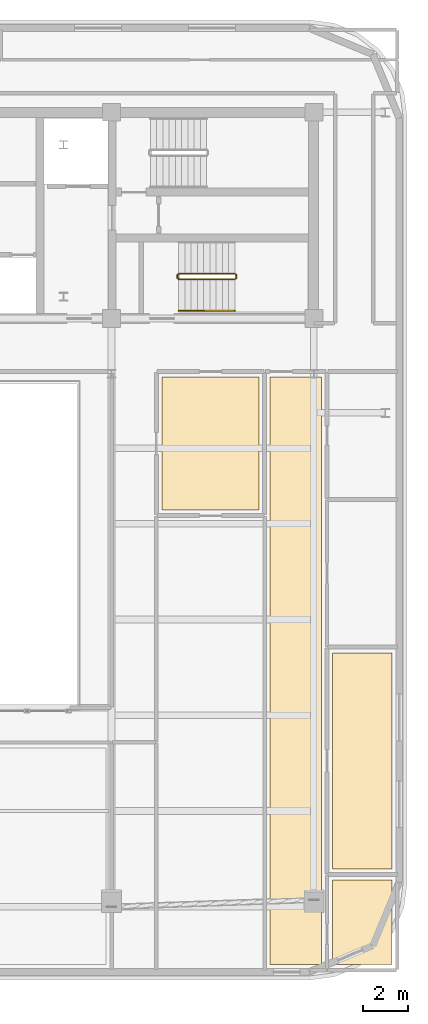
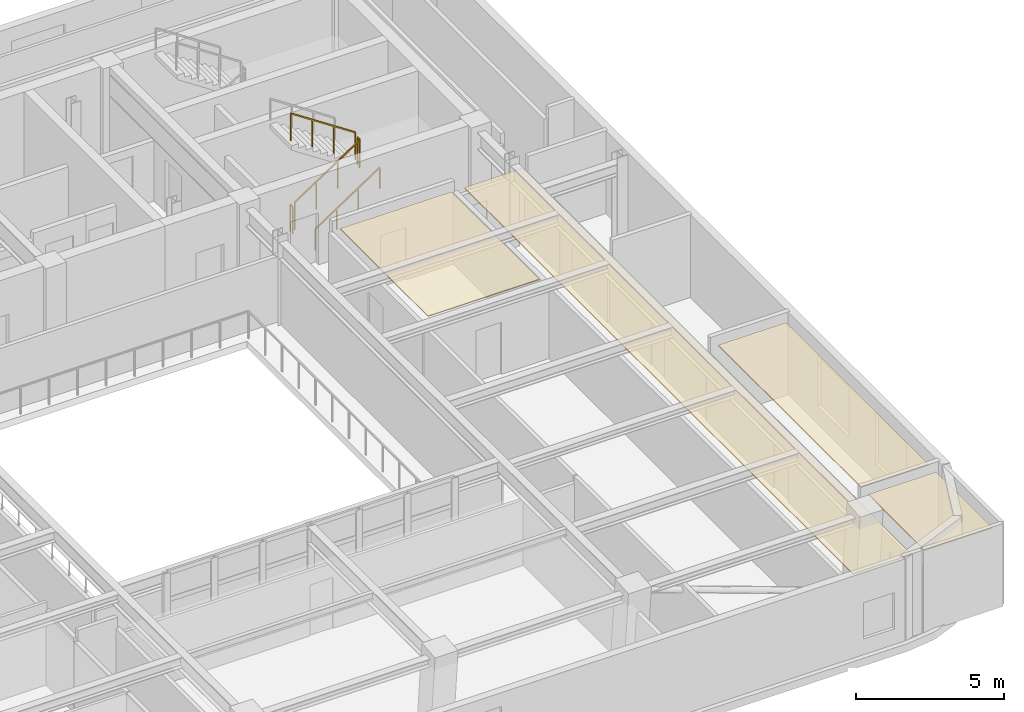
# One storey, part 11 of 12: 5 railings, 4 coverings.
"""IFC4 building model written with IfcOpenShell, lengths in metres."""

from ifc_helpers import new_model, si_unit, direction, frame, origin, origin_2d, place, context, subcontext, project, spatial, polyline, rectangle, outline, extrude, material, layer, layer_set, type_object, element, save


model = new_model("IFC4")

# Units and contexts
model_context = context("Model", 3, precision=1e-05, world=origin(), true_north=direction((0.0, 1.0)))
body_context = subcontext(model_context, "Body", "Model", "MODEL_VIEW")
ifc_project = project(units=[si_unit("LENGTHUNIT", "METRE"), si_unit("AREAUNIT", "SQUARE_METRE"), si_unit("VOLUMEUNIT", "CUBIC_METRE"), si_unit("PLANEANGLEUNIT", "RADIAN"), si_unit("MASSUNIT", "GRAM", prefix="KILO")], contexts=[model_context])

# Site, building, storey
site_placement = place(None, origin())
site = spatial("IfcSite", under=ifc_project, at=site_placement, CompositionType="ELEMENT")
building_placement = place(site_placement, origin())
building = spatial("IfcBuilding", under=site, at=building_placement, Name="Zarnavel Station Tower", CompositionType="ELEMENT")
storey_placement = place(building_placement, frame((0.0, 0.0, 269.5)))
storey = spatial("IfcBuildingStorey", under=building, at=storey_placement, Name="L73", CompositionType="ELEMENT", Elevation=269.5)

# Coverings
ifc_material_1 = material(Name="Perforated Gypsum and Mineral-Wool Acoustic Ceiling", Category="concrete")
ifc_layer = layer(ifc_material_1, 0.0400390625)
ifc_layer_set = layer_set([ifc_layer], Name="COV_CEIL_ACOUSTIC")
covering_type = type_object("IfcCoveringType", Name="COV_CEIL_ACOUSTIC", PredefinedType="CEILING", material=ifc_layer_set)
covering_1_placement = place(storey_placement, frame((0.0, 0.0, 3.10009765625)))
element("IfcCovering", 1, at=covering_1_placement, inside=storey, type_object=covering_type, Name="L73 L73KIT Acoustic Ceiling", PredefinedType="CEILING", context=body_context, shape_type="SweptSolid", body=[
    extrude(outline(polyline([(38.60009765625, 19.25), (42.949951171875, 19.25), (42.949951171875, 25.199951171875), (38.60009765625, 25.199951171875), (38.60009765625, 19.25)])), origin(), (0.0, 0.0, 1.0), 0.039794921875),
])
covering_2_placement = place(storey_placement, frame((0.0, 0.0, 3.10009765625)))
element("IfcCovering", 2, at=covering_2_placement, inside=storey, type_object=covering_type, Name="L73 UE1LV Acoustic Ceiling", PredefinedType="CEILING", context=body_context, shape_type="SweptSolid", body=[
    extrude(outline(polyline([(43.449951171875, -1.090087890625), (45.741943359375, -1.090087890625), (45.741943359375, 25.199951171875), (43.449951171875, 25.199951171875), (43.449951171875, -1.090087890625)])), origin(), (0.0, 0.0, 1.0), 0.039794921875),
])
covering_3_placement = place(storey_placement, frame((0.0, 0.0, 3.10009765625)))
element("IfcCovering", 3, at=covering_3_placement, inside=storey, type_object=covering_type, Name="L73 UE1B1 Acoustic Ceiling", PredefinedType="CEILING", context=body_context, shape_type="SweptSolid", body=[
    extrude(outline(polyline([(46.241943359375, -1.090087890625), (48.889892578125, -1.090087890625), (48.889892578125, 2.697998046875), (46.241943359375, 2.697998046875), (46.241943359375, -1.090087890625)])), origin(), (0.0, 0.0, 1.0), 0.039794921875),
])
covering_4_placement = place(storey_placement, frame((0.0, 0.0, 3.10009765625)))
element("IfcCovering", 4, at=covering_4_placement, inside=storey, type_object=covering_type, Name="L73 UE1KT Acoustic Ceiling", PredefinedType="CEILING", context=body_context, shape_type="SweptSolid", body=[
    extrude(outline(polyline([(46.241943359375, 3.197998046875), (48.889892578125, 3.197998046875), (48.889892578125, 12.863037109375), (46.241943359375, 12.863037109375), (46.241943359375, 3.197998046875)])), origin(), (0.0, 0.0, 1.0), 0.039794921875),
])

# Railings
ifc_material_2 = material(Name="Painted Steel S355J2 Balustrade", Category="steel")
railing_type_1 = type_object("IfcRailingType", Name="GR_INT_1150", PredefinedType="GUARDRAIL", material=ifc_material_2)
railing_1_placement = place(storey_placement, frame((39.35009765625, 29.570068359375, 0.18505859375)))
element("IfcRailing", 5, at=railing_1_placement, inside=storey, type_object=railing_type_1, Name="L73 ST3 stair guard 1", PredefinedType="GUARDRAIL", context=body_context, shape_type="SweptSolid", body=[
    extrude(rectangle(XDim=0.048095703125, YDim=0.048095703125, at=origin_2d()), frame((0.001708984375, 0.0, 1.126953125), z_axis=(0.834331337432, 0.0, 0.55126329406), x_axis=(0.0, 1.0, 0.0)), (0.0, 0.0, 1.0), 3.016357421875),
    extrude(rectangle(XDim=0.0419921875, YDim=0.0419921875, at=origin_2d()), origin(), (0.0, 0.0, 1.0), 1.101806640625),
    extrude(rectangle(XDim=0.0419921875, YDim=0.0419921875, at=origin_2d()), frame((0.840087890625, 0.0, 0.554931640625)), (0.0, 0.0, 1.0), 1.101806640625),
    extrude(rectangle(XDim=0.0419921875, YDim=0.0419921875, at=origin_2d()), frame((1.679931640625, 0.0, 1.110107421875)), (0.0, 0.0, 1.0), 1.101806640625),
    extrude(rectangle(XDim=0.0419921875, YDim=0.0419921875, at=origin_2d()), frame((2.52001953125, 0.0, 1.6650390625)), (0.0, 0.0, 1.0), 1.101806640625),
])
railing_2_placement = place(storey_placement, frame((41.919921875, 29.6201171875, 1.85009765625)))
element("IfcRailing", 6, at=railing_2_placement, inside=storey, type_object=railing_type_1, Name="L73 ST3 stair guard 2", PredefinedType="GUARDRAIL", context=body_context, shape_type="SweptSolid", body=[
    extrude(rectangle(XDim=0.048095703125, YDim=0.048095703125, at=origin_2d()), frame((0.0, 0.001953125, 1.1259765625), z_axis=(0.0, 1.0, 0.0), x_axis=(-1.0, 0.0, 0.0)), (0.0, 0.0, 1.0), 0.156005859375),
    extrude(rectangle(XDim=0.0419921875, YDim=0.0419921875, at=origin_2d()), origin(), (0.0, 0.0, 1.0), 1.101806640625),
    extrude(rectangle(XDim=0.0419921875, YDim=0.0419921875, at=origin_2d()), frame((0.0, 0.159912109375, 0.0)), (0.0, 0.0, 1.0), 1.101806640625),
])
railing_3_placement = place(storey_placement, frame((41.8701171875, 29.830078125, 2.034912109375)))
element("IfcRailing", 7, at=railing_3_placement, inside=storey, type_object=railing_type_1, Name="L73 ST3 stair guard 3", PredefinedType="GUARDRAIL", context=body_context, shape_type="SweptSolid", body=[
    extrude(rectangle(XDim=0.048095703125, YDim=0.048095703125, at=origin_2d()), frame((-0.001708984375, 0.0, 1.126953125), z_axis=(-0.834331337432, 0.0, 0.55126329406), x_axis=(0.0, -1.0, 0.0)), (0.0, 0.0, 1.0), 3.016357421875),
    extrude(rectangle(XDim=0.0419921875, YDim=0.0419921875, at=origin_2d()), origin(), (0.0, 0.0, 1.0), 1.101806640625),
    extrude(rectangle(XDim=0.0419921875, YDim=0.0419921875, at=origin_2d()), frame((-0.840087890625, 0.0, 0.554931640625)), (0.0, 0.0, 1.0), 1.101806640625),
    extrude(rectangle(XDim=0.0419921875, YDim=0.0419921875, at=origin_2d()), frame((-1.679931640625, 0.0, 1.110107421875)), (0.0, 0.0, 1.0), 1.101806640625),
    extrude(rectangle(XDim=0.0419921875, YDim=0.0419921875, at=origin_2d()), frame((-2.52001953125, 0.0, 1.6650390625)), (0.0, 0.0, 1.0), 1.101806640625),
])
railing_4_placement = place(storey_placement, frame((39.300048828125, 29.6201171875, 0.0)))
element("IfcRailing", 8, at=railing_4_placement, inside=storey, type_object=railing_type_1, Name="L73 ST3 stair guard 4", PredefinedType="GUARDRAIL", context=body_context, shape_type="SweptSolid", body=[
    extrude(rectangle(XDim=0.048095703125, YDim=0.048095703125, at=origin_2d()), frame((0.0, 0.001953125, 1.1259765625), z_axis=(0.0, 1.0, 0.0), x_axis=(-1.0, 0.0, 0.0)), (0.0, 0.0, 1.0), 0.156005859375),
    extrude(rectangle(XDim=0.0419921875, YDim=0.0419921875, at=origin_2d()), origin(), (0.0, 0.0, 1.0), 1.101806640625),
    extrude(rectangle(XDim=0.0419921875, YDim=0.0419921875, at=origin_2d()), frame((0.0, 0.159912109375, 0.0)), (0.0, 0.0, 1.0), 1.101806640625),
])
ifc_material_3 = material(Name="Brushed Stainless Steel S355J2 Handrail", Category="steel")
railing_type_2 = type_object("IfcRailingType", Name="HR_STAIR_900", PredefinedType="HANDRAIL", material=ifc_material_3)
railing_5_placement = place(storey_placement, frame((39.35009765625, 28.169921875, 0.18505859375)))
element("IfcRailing", 9, at=railing_5_placement, inside=storey, type_object=railing_type_2, Name="L73 ST3 stair handrail 1", PredefinedType="HANDRAIL", context=body_context, shape_type="SweptSolid", body=[
    extrude(rectangle(XDim=0.048095703125, YDim=0.048095703125, at=origin_2d()), frame((0.001708984375, 0.0, 0.876953125), z_axis=(0.834331337432, 0.0, 0.55126329406), x_axis=(0.0, 1.0, 0.0)), (0.0, 0.0, 1.0), 3.016357421875),
    extrude(rectangle(XDim=0.0419921875, YDim=0.0419921875, at=origin_2d()), origin(), (0.0, 0.0, 1.0), 0.851806640625),
    extrude(rectangle(XDim=0.0419921875, YDim=0.0419921875, at=origin_2d()), frame((0.840087890625, 0.0, 0.554931640625)), (0.0, 0.0, 1.0), 0.851806640625),
    extrude(rectangle(XDim=0.0419921875, YDim=0.0419921875, at=origin_2d()), frame((1.679931640625, 0.0, 1.110107421875)), (0.0, 0.0, 1.0), 0.851806640625),
    extrude(rectangle(XDim=0.0419921875, YDim=0.0419921875, at=origin_2d()), frame((2.52001953125, 0.0, 1.6650390625)), (0.0, 0.0, 1.0), 0.851806640625),
])

save(model, "model.ifc")
